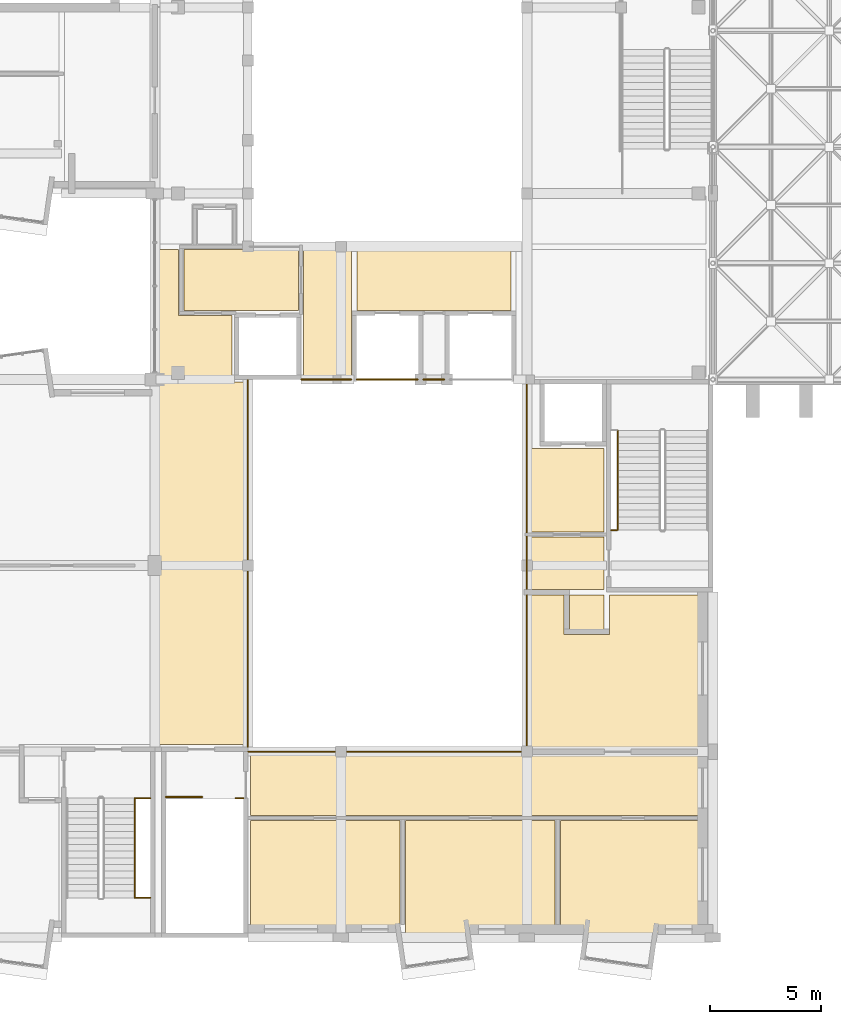
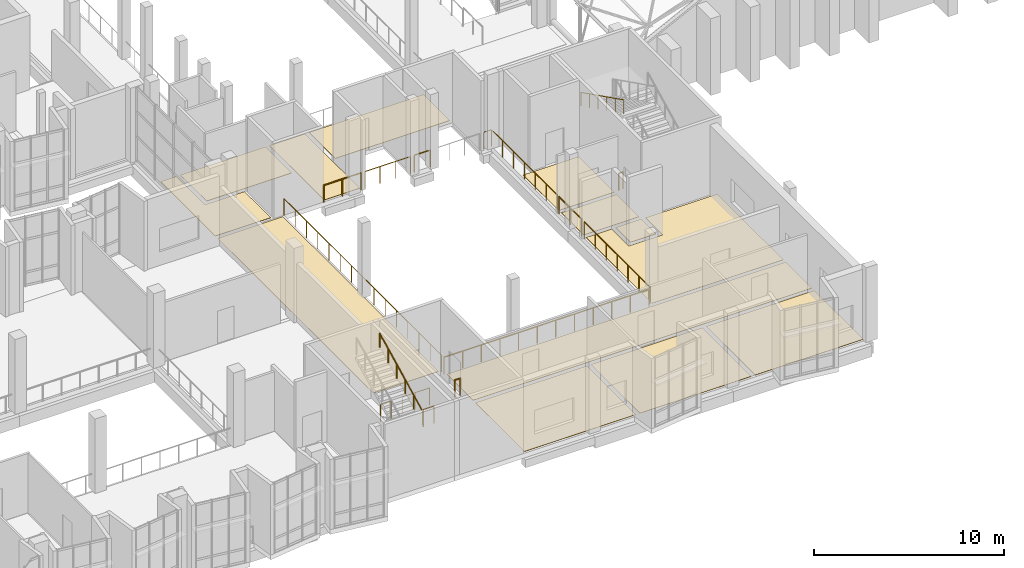
# One storey, part 87 of 100: 15 railings, 13 coverings.
"""IFC4 building model written with IfcOpenShell, lengths in metres."""

from ifc_helpers import new_model, si_unit, direction, frame, origin, origin_2d, place, context, subcontext, project, spatial, polyline, circle, outline, extrude, material, layer, layer_set, type_object, element, save


model = new_model("IFC4")

# Units and contexts
model_context = context("Model", 3, precision=1e-05, world=origin(), true_north=direction((0.0, 1.0)))
body_context = subcontext(model_context, "Body", "Model", "MODEL_VIEW")
ifc_project = project(units=[si_unit("LENGTHUNIT", "METRE"), si_unit("AREAUNIT", "SQUARE_METRE"), si_unit("VOLUMEUNIT", "CUBIC_METRE"), si_unit("PLANEANGLEUNIT", "RADIAN"), si_unit("MASSUNIT", "GRAM", prefix="KILO")], contexts=[model_context])

# Site, building, storey
site_placement = place(None, origin())
site = spatial("IfcSite", under=ifc_project, at=site_placement, CompositionType="ELEMENT")
building_placement = place(site_placement, origin())
building = spatial("IfcBuilding", under=site, at=building_placement, Name="Kiln Court Media Centre", CompositionType="ELEMENT")
storey_placement = place(building_placement, frame((0.0, 0.0, 15.0)))
storey = spatial("IfcBuildingStorey", under=building, at=storey_placement, Name="L03", CompositionType="ELEMENT", Elevation=15.0)

# Coverings
ifc_material_1 = material(Name="Carpet tile")
ifc_layer_1 = layer(ifc_material_1, 0.014892578125)
ifc_layer_set_1 = layer_set([ifc_layer_1], Name="Carpet tile floor finish 15")
covering_type_1 = type_object("IfcCoveringType", Name="Carpet tile floor finish 15", PredefinedType="FLOORING", material=ifc_layer_set_1)
covering_1_placement = place(storey_placement, origin())
element("IfcCovering", 1, at=covering_1_placement, inside=storey, type_object=covering_type_1, Name="Editing Suite 24 floor finish", PredefinedType="FLOORING", context=body_context, shape_type="SweptSolid", body=[
    extrude(outline(polyline([(37.919921875, 0.1201171875), (44.679931640625, 0.1201171875), (44.679931640625, 5.280029296875), (37.919921875, 5.280029296875), (37.919921875, 0.1201171875)])), origin(), (0.0, 0.0, 1.0), 0.014892578125),
])
covering_2_placement = place(storey_placement, origin())
element("IfcCovering", 2, at=covering_2_placement, inside=storey, type_object=covering_type_1, Name="Editing Suite 25 floor finish", PredefinedType="FLOORING", context=body_context, shape_type="SweptSolid", body=[
    extrude(outline(polyline([(44.919921875, 0.1201171875), (51.679931640625, 0.1201171875), (51.679931640625, 5.280029296875), (44.919921875, 5.280029296875), (44.919921875, 0.1201171875)])), origin(), (0.0, 0.0, 1.0), 0.014892578125),
])
covering_3_placement = place(storey_placement, origin())
element("IfcCovering", 3, at=covering_3_placement, inside=storey, type_object=covering_type_1, Name="Editing Suite 26 floor finish", PredefinedType="FLOORING", context=body_context, shape_type="SweptSolid", body=[
    extrude(outline(polyline([(51.919921875, 0.1201171875), (58.47998046875, 0.1201171875), (58.47998046875, 5.280029296875), (51.919921875, 5.280029296875), (51.919921875, 0.1201171875)])), origin(), (0.0, 0.0, 1.0), 0.014892578125),
])
covering_4_placement = place(storey_placement, origin())
element("IfcCovering", 4, at=covering_4_placement, inside=storey, type_object=covering_type_1, Name="Projection and Equipment Room floor finish", PredefinedType="FLOORING", context=body_context, shape_type="SweptSolid", body=[
    extrude(outline(polyline([(50.52001953125, 8.52001953125), (58.47998046875, 8.52001953125), (58.47998046875, 15.47998046875), (54.1201171875, 15.47998046875), (54.1201171875, 13.679931640625), (52.080078125, 13.679931640625), (52.080078125, 15.47998046875), (50.52001953125, 15.47998046875), (50.52001953125, 8.52001953125)])), origin(), (0.0, 0.0, 1.0), 0.014892578125),
])
ifc_material_2 = material(Name="Terrazzo")
ifc_layer_2 = layer(ifc_material_2, 0.02490234375)
ifc_layer_set_2 = layer_set([ifc_layer_2], Name="Polished terrazzo floor finish 25")
covering_type_2 = type_object("IfcCoveringType", Name="Polished terrazzo floor finish 25", PredefinedType="FLOORING", material=ifc_layer_set_2)
covering_5_placement = place(storey_placement, origin())
element("IfcCovering", 5, at=covering_5_placement, inside=storey, type_object=covering_type_2, Name="South Gallery West floor finish", PredefinedType="FLOORING", context=body_context, shape_type="SweptSolid", body=[
    extrude(outline(polyline([(37.080078125, 25.320068359375), (37.080078125, 28.080078125), (34.679931640625, 28.080078125), (34.679931640625, 31.080078125), (33.719970703125, 31.080078125), (33.719970703125, 25.320068359375), (37.080078125, 25.320068359375)])), origin(), (0.0, 0.0, 1.0), 0.02490234375),
])
covering_6_placement = place(storey_placement, origin())
element("IfcCovering", 6, at=covering_6_placement, inside=storey, type_object=covering_type_2, Name="South Gallery Link floor finish", PredefinedType="FLOORING", context=body_context, shape_type="SweptSolid", body=[
    extrude(outline(polyline([(40.320068359375, 25.320068359375), (42.47998046875, 25.320068359375), (42.47998046875, 31.080078125), (40.320068359375, 31.080078125), (40.320068359375, 25.320068359375)])), origin(), (0.0, 0.0, 1.0), 0.02490234375),
])
covering_7_placement = place(storey_placement, origin())
element("IfcCovering", 7, at=covering_7_placement, inside=storey, type_object=covering_type_2, Name="Fire-fighting Lift Lobby floor finish", PredefinedType="FLOORING", context=body_context, shape_type="SweptSolid", body=[
    extrude(outline(polyline([(34.919921875, 28.320068359375), (40.080078125, 28.320068359375), (40.080078125, 31.080078125), (34.919921875, 31.080078125), (34.919921875, 28.320068359375)])), origin(), (0.0, 0.0, 1.0), 0.02490234375),
])
covering_8_placement = place(storey_placement, origin())
element("IfcCovering", 8, at=covering_8_placement, inside=storey, type_object=covering_type_2, Name="Glass Lift Landing floor finish", PredefinedType="FLOORING", context=body_context, shape_type="SweptSolid", body=[
    extrude(outline(polyline([(42.719970703125, 28.320068359375), (49.679931640625, 28.320068359375), (49.679931640625, 31.080078125), (42.719970703125, 31.080078125), (42.719970703125, 28.320068359375)])), origin(), (0.0, 0.0, 1.0), 0.02490234375),
])
covering_9_placement = place(storey_placement, origin())
element("IfcCovering", 9, at=covering_9_placement, inside=storey, type_object=covering_type_2, Name="Suite Corridor floor finish", PredefinedType="FLOORING", context=body_context, shape_type="SweptSolid", body=[
    extrude(outline(polyline([(37.919921875, 5.52001953125), (58.47998046875, 5.52001953125), (58.47998046875, 8.280029296875), (37.919921875, 8.280029296875), (37.919921875, 5.52001953125)])), origin(), (0.0, 0.0, 1.0), 0.02490234375),
])
covering_10_placement = place(storey_placement, origin())
element("IfcCovering", 10, at=covering_10_placement, inside=storey, type_object=covering_type_2, Name="Hall Corridor floor finish", PredefinedType="FLOORING", context=body_context, shape_type="SweptSolid", body=[
    extrude(outline(polyline([(33.719970703125, 25.080078125), (33.719970703125, 8.719970703125), (37.679931640625, 8.719970703125), (37.679931640625, 25.080078125), (33.719970703125, 25.080078125)])), origin(), (0.0, 0.0, 1.0), 0.02490234375),
])
covering_11_placement = place(storey_placement, origin())
element("IfcCovering", 11, at=covering_11_placement, inside=storey, type_object=covering_type_2, Name="Wheelchair Refuge floor finish", PredefinedType="FLOORING", context=body_context, shape_type="SweptSolid", body=[
    extrude(outline(polyline([(52.320068359375, 13.919921875), (53.8798828125, 13.919921875), (53.8798828125, 15.47998046875), (52.320068359375, 15.47998046875), (52.320068359375, 13.919921875)])), origin(), (0.0, 0.0, 1.0), 0.02490234375),
])
covering_12_placement = place(storey_placement, origin())
element("IfcCovering", 12, at=covering_12_placement, inside=storey, type_object=covering_type_2, Name="Stair 5 Lobby floor finish", PredefinedType="FLOORING", context=body_context, shape_type="SweptSolid", body=[
    extrude(outline(polyline([(50.52001953125, 15.719970703125), (53.8798828125, 15.719970703125), (53.8798828125, 18.080078125), (50.52001953125, 18.080078125), (50.52001953125, 15.719970703125)])), origin(), (0.0, 0.0, 1.0), 0.02490234375),
])
covering_13_placement = place(storey_placement, origin())
element("IfcCovering", 13, at=covering_13_placement, inside=storey, type_object=covering_type_2, Name="Fire-fighting Lift Lobby floor finish", PredefinedType="FLOORING", context=body_context, shape_type="SweptSolid", body=[
    extrude(outline(polyline([(50.52001953125, 18.320068359375), (53.8798828125, 18.320068359375), (53.8798828125, 22.080078125), (50.52001953125, 22.080078125), (50.52001953125, 18.320068359375)])), origin(), (0.0, 0.0, 1.0), 0.02490234375),
])

# Railings
ifc_material_3 = material(Name="Steel S275", Category="steel")
railing_type_1 = type_object("IfcRailingType", Name="Steel S275 balustrade guard 1100", PredefinedType="GUARDRAIL", material=ifc_material_3)
railing_1_placement = place(storey_placement, frame((37.800048828125, 25.179931640625, 0.0)))
element("IfcRailing", 14, at=railing_1_placement, inside=storey, type_object=railing_type_1, Name="L03 void edge guard", PredefinedType="GUARDRAIL", context=body_context, shape_type="SweptSolid", body=[
    extrude(circle(Radius=0.02392578125, at=origin_2d()), frame((0.0, 0.0, 1.076171875), z_axis=(0.0, -1.0, 0.0), x_axis=(1.0, 0.0, 0.0)), (0.0, 0.0, 1.0), 16.559814453125),
    extrude(circle(Radius=0.02099609375, at=origin_2d()), origin(), (0.0, 0.0, 1.0), 1.052001953125),
    extrude(circle(Radius=0.02099609375, at=origin_2d()), frame((0.0, -1.182861328125, 0.0)), (0.0, 0.0, 1.0), 1.052001953125),
    extrude(circle(Radius=0.02099609375, at=origin_2d()), frame((0.0, -2.36572265625, 0.0)), (0.0, 0.0, 1.0), 1.052001953125),
    extrude(circle(Radius=0.02099609375, at=origin_2d()), frame((0.0, -3.548583984375, 0.0)), (0.0, 0.0, 1.0), 1.052001953125),
    extrude(circle(Radius=0.02099609375, at=origin_2d()), frame((0.0, -4.7314453125, 0.0)), (0.0, 0.0, 1.0), 1.052001953125),
    extrude(circle(Radius=0.02099609375, at=origin_2d()), frame((0.0, -5.914306640625, 0.0)), (0.0, 0.0, 1.0), 1.052001953125),
    extrude(circle(Radius=0.02099609375, at=origin_2d()), frame((0.0, -7.09716796875, 0.0)), (0.0, 0.0, 1.0), 1.052001953125),
    extrude(circle(Radius=0.02099609375, at=origin_2d()), frame((0.0, -8.27978515625, 0.0)), (0.0, 0.0, 1.0), 1.052001953125),
    extrude(circle(Radius=0.02099609375, at=origin_2d()), frame((0.0, -9.462646484375, 0.0)), (0.0, 0.0, 1.0), 1.052001953125),
    extrude(circle(Radius=0.02099609375, at=origin_2d()), frame((0.0, -10.6455078125, 0.0)), (0.0, 0.0, 1.0), 1.052001953125),
    extrude(circle(Radius=0.02099609375, at=origin_2d()), frame((0.0, -11.828369140625, 0.0)), (0.0, 0.0, 1.0), 1.052001953125),
    extrude(circle(Radius=0.02099609375, at=origin_2d()), frame((0.0, -13.01123046875, 0.0)), (0.0, 0.0, 1.0), 1.052001953125),
    extrude(circle(Radius=0.02099609375, at=origin_2d()), frame((0.0, -14.194091796875, 0.0)), (0.0, 0.0, 1.0), 1.052001953125),
    extrude(circle(Radius=0.02099609375, at=origin_2d()), frame((0.0, -15.376953125, 0.0)), (0.0, 0.0, 1.0), 1.052001953125),
    extrude(circle(Radius=0.02099609375, at=origin_2d()), frame((0.0, -16.559814453125, 0.0)), (0.0, 0.0, 1.0), 1.052001953125),
])
railing_2_placement = place(storey_placement, frame((37.820068359375, 8.39990234375, 0.0)))
element("IfcRailing", 15, at=railing_2_placement, inside=storey, type_object=railing_type_1, Name="L03 void edge guard", PredefinedType="GUARDRAIL", context=body_context, shape_type="SweptSolid", body=[
    extrude(circle(Radius=0.02392578125, at=origin_2d()), frame((0.0, 0.0, 1.076171875), z_axis=(1.0, 0.0, 0.0), x_axis=(0.0, 1.0, 0.0)), (0.0, 0.0, 1.0), 12.434814453125),
    extrude(circle(Radius=0.02099609375, at=origin_2d()), origin(), (0.0, 0.0, 1.0), 1.052001953125),
    extrude(circle(Radius=0.02099609375, at=origin_2d()), frame((1.13037109375, 0.0, 0.0)), (0.0, 0.0, 1.0), 1.052001953125),
    extrude(circle(Radius=0.02099609375, at=origin_2d()), frame((2.260986328125, 0.0, 0.0)), (0.0, 0.0, 1.0), 1.052001953125),
    extrude(circle(Radius=0.02099609375, at=origin_2d()), frame((3.391357421875, 0.0, 0.0)), (0.0, 0.0, 1.0), 1.052001953125),
    extrude(circle(Radius=0.02099609375, at=origin_2d()), frame((4.521728515625, 0.0, 0.0)), (0.0, 0.0, 1.0), 1.052001953125),
    extrude(circle(Radius=0.02099609375, at=origin_2d()), frame((5.652099609375, 0.0, 0.0)), (0.0, 0.0, 1.0), 1.052001953125),
    extrude(circle(Radius=0.02099609375, at=origin_2d()), frame((6.78271484375, 0.0, 0.0)), (0.0, 0.0, 1.0), 1.052001953125),
    extrude(circle(Radius=0.02099609375, at=origin_2d()), frame((7.9130859375, 0.0, 0.0)), (0.0, 0.0, 1.0), 1.052001953125),
    extrude(circle(Radius=0.02099609375, at=origin_2d()), frame((9.04345703125, 0.0, 0.0)), (0.0, 0.0, 1.0), 1.052001953125),
    extrude(circle(Radius=0.02099609375, at=origin_2d()), frame((10.173828125, 0.0, 0.0)), (0.0, 0.0, 1.0), 1.052001953125),
    extrude(circle(Radius=0.02099609375, at=origin_2d()), frame((11.304443359375, 0.0, 0.0)), (0.0, 0.0, 1.0), 1.052001953125),
    extrude(circle(Radius=0.02099609375, at=origin_2d()), frame((12.434814453125, 0.0, 0.0)), (0.0, 0.0, 1.0), 1.052001953125),
])
railing_3_placement = place(storey_placement, frame((42.47998046875, 25.199951171875, 0.0)))
element("IfcRailing", 16, at=railing_3_placement, inside=storey, type_object=railing_type_1, Name="L03 void edge guard", PredefinedType="GUARDRAIL", context=body_context, shape_type="SweptSolid", body=[
    extrude(circle(Radius=0.02392578125, at=origin_2d()), frame((0.0, 0.0, 1.076171875), z_axis=(-1.0, 0.0, 0.0), x_axis=(0.0, -1.0, 0.0)), (0.0, 0.0, 1.0), 2.260009765625),
    extrude(circle(Radius=0.02099609375, at=origin_2d()), origin(), (0.0, 0.0, 1.0), 1.052001953125),
    extrude(circle(Radius=0.02099609375, at=origin_2d()), frame((-1.1298828125, 0.0, 0.0)), (0.0, 0.0, 1.0), 1.052001953125),
    extrude(circle(Radius=0.02099609375, at=origin_2d()), frame((-2.260009765625, 0.0, 0.0)), (0.0, 0.0, 1.0), 1.052001953125),
])
railing_4_placement = place(storey_placement, frame((45.47998046875, 25.199951171875, 0.0)))
element("IfcRailing", 17, at=railing_4_placement, inside=storey, type_object=railing_type_1, Name="L03 void edge guard", PredefinedType="GUARDRAIL", context=body_context, shape_type="SweptSolid", body=[
    extrude(circle(Radius=0.02392578125, at=origin_2d()), frame((0.0, 0.0, 1.076171875), z_axis=(-1.0, 0.0, 0.0), x_axis=(0.0, -1.0, 0.0)), (0.0, 0.0, 1.0), 2.760009765625),
    extrude(circle(Radius=0.02099609375, at=origin_2d()), origin(), (0.0, 0.0, 1.0), 1.052001953125),
    extrude(circle(Radius=0.02099609375, at=origin_2d()), frame((-0.919921875, 0.0, 0.0)), (0.0, 0.0, 1.0), 1.052001953125),
    extrude(circle(Radius=0.02099609375, at=origin_2d()), frame((-1.840087890625, 0.0, 0.0)), (0.0, 0.0, 1.0), 1.052001953125),
    extrude(circle(Radius=0.02099609375, at=origin_2d()), frame((-2.760009765625, 0.0, 0.0)), (0.0, 0.0, 1.0), 1.052001953125),
])
railing_5_placement = place(storey_placement, frame((46.679931640625, 25.199951171875, 0.0)))
element("IfcRailing", 18, at=railing_5_placement, inside=storey, type_object=railing_type_1, Name="L03 void edge guard", PredefinedType="GUARDRAIL", context=body_context, shape_type="SweptSolid", body=[
    extrude(circle(Radius=0.02392578125, at=origin_2d()), frame((0.0, 0.0, 1.076171875), z_axis=(-1.0, 0.0, 0.0), x_axis=(0.0, -1.0, 0.0)), (0.0, 0.0, 1.0), 0.9599609375),
    extrude(circle(Radius=0.02099609375, at=origin_2d()), origin(), (0.0, 0.0, 1.0), 1.052001953125),
    extrude(circle(Radius=0.02099609375, at=origin_2d()), frame((-0.9599609375, 0.0, 0.0)), (0.0, 0.0, 1.0), 1.052001953125),
])
railing_6_placement = place(storey_placement, frame((50.39990234375, 18.294921875, 0.0)))
element("IfcRailing", 19, at=railing_6_placement, inside=storey, type_object=railing_type_1, Name="L03 void edge guard", PredefinedType="GUARDRAIL", context=body_context, shape_type="SweptSolid", body=[
    extrude(circle(Radius=0.02392578125, at=origin_2d()), frame((0.0, 0.0, 1.076171875), z_axis=(0.0, 1.0, 0.0), x_axis=(-1.0, 0.0, 0.0)), (0.0, 0.0, 1.0), 6.905029296875),
    extrude(circle(Radius=0.02392578125, at=origin_2d()), frame((0.0, 6.905029296875, 1.076171875), z_axis=(-1.0, 0.0, 0.0), x_axis=(0.0, -1.0, 0.0)), (0.0, 0.0, 1.0), 0.47998046875),
    extrude(circle(Radius=0.02099609375, at=origin_2d()), origin(), (0.0, 0.0, 1.0), 1.052001953125),
    extrude(circle(Radius=0.02099609375, at=origin_2d()), frame((0.0, 1.15087890625, 0.0)), (0.0, 0.0, 1.0), 1.052001953125),
    extrude(circle(Radius=0.02099609375, at=origin_2d()), frame((0.0, 2.3017578125, 0.0)), (0.0, 0.0, 1.0), 1.052001953125),
    extrude(circle(Radius=0.02099609375, at=origin_2d()), frame((0.0, 3.45263671875, 0.0)), (0.0, 0.0, 1.0), 1.052001953125),
    extrude(circle(Radius=0.02099609375, at=origin_2d()), frame((0.0, 4.603271484375, 0.0)), (0.0, 0.0, 1.0), 1.052001953125),
    extrude(circle(Radius=0.02099609375, at=origin_2d()), frame((0.0, 5.754150390625, 0.0)), (0.0, 0.0, 1.0), 1.052001953125),
    extrude(circle(Radius=0.02099609375, at=origin_2d()), frame((0.0, 6.905029296875, 0.0)), (0.0, 0.0, 1.0), 1.052001953125),
    extrude(circle(Radius=0.02099609375, at=origin_2d()), frame((-0.47998046875, 6.905029296875, 0.0)), (0.0, 0.0, 1.0), 1.052001953125),
])
railing_7_placement = place(storey_placement, frame((50.39990234375, 8.544921875, 0.0)))
element("IfcRailing", 20, at=railing_7_placement, inside=storey, type_object=railing_type_1, Name="L03 void edge guard", PredefinedType="GUARDRAIL", context=body_context, shape_type="SweptSolid", body=[
    extrude(circle(Radius=0.02392578125, at=origin_2d()), frame((0.0, 0.0, 1.076171875), z_axis=(0.0, 1.0, 0.0), x_axis=(-1.0, 0.0, 0.0)), (0.0, 0.0, 1.0), 6.91015625),
    extrude(circle(Radius=0.02099609375, at=origin_2d()), origin(), (0.0, 0.0, 1.0), 1.052001953125),
    extrude(circle(Radius=0.02099609375, at=origin_2d()), frame((0.0, 1.151611328125, 0.0)), (0.0, 0.0, 1.0), 1.052001953125),
    extrude(circle(Radius=0.02099609375, at=origin_2d()), frame((0.0, 2.303466796875, 0.0)), (0.0, 0.0, 1.0), 1.052001953125),
    extrude(circle(Radius=0.02099609375, at=origin_2d()), frame((0.0, 3.455078125, 0.0)), (0.0, 0.0, 1.0), 1.052001953125),
    extrude(circle(Radius=0.02099609375, at=origin_2d()), frame((0.0, 4.606689453125, 0.0)), (0.0, 0.0, 1.0), 1.052001953125),
    extrude(circle(Radius=0.02099609375, at=origin_2d()), frame((0.0, 5.758544921875, 0.0)), (0.0, 0.0, 1.0), 1.052001953125),
    extrude(circle(Radius=0.02099609375, at=origin_2d()), frame((0.0, 6.91015625, 0.0)), (0.0, 0.0, 1.0), 1.052001953125),
])
railing_8_placement = place(storey_placement, frame((50.39990234375, 15.7451171875, 0.0)))
element("IfcRailing", 21, at=railing_8_placement, inside=storey, type_object=railing_type_1, Name="L03 void edge guard", PredefinedType="GUARDRAIL", context=body_context, shape_type="SweptSolid", body=[
    extrude(circle(Radius=0.02392578125, at=origin_2d()), frame((0.0, 0.0, 1.076171875), z_axis=(0.0, 1.0, 0.0), x_axis=(-1.0, 0.0, 0.0)), (0.0, 0.0, 1.0), 2.35986328125),
    extrude(circle(Radius=0.02099609375, at=origin_2d()), origin(), (0.0, 0.0, 1.0), 1.052001953125),
    extrude(circle(Radius=0.02099609375, at=origin_2d()), frame((0.0, 1.179931640625, 0.0)), (0.0, 0.0, 1.0), 1.052001953125),
    extrude(circle(Radius=0.02099609375, at=origin_2d()), frame((0.0, 2.35986328125, 0.0)), (0.0, 0.0, 1.0), 1.052001953125),
])
ifc_material_4 = material(Name="Steel S275", Category="steel")
railing_type_2 = type_object("IfcRailingType", Name="Steel S275 stair guard 1100", PredefinedType="GUARDRAIL", material=ifc_material_4)
for number, where, name in (
    (22, (32.75, 1.800048828125, 2.39990234375), "ST-03 landing edge guard"),
    (23, (32.75, 6.300048828125, 0.0), "ST-03 landing edge guard"),
):
    element("IfcRailing", number, at=place(storey_placement, frame(where)), inside=storey, type_object=railing_type_2, Name=name, PredefinedType="GUARDRAIL", context=body_context, shape_type="SweptSolid", body=[
        extrude(circle(Radius=0.02392578125, at=origin_2d()), frame((0.0, 0.0, 1.076171875), z_axis=(1.0, 0.0, 0.0), x_axis=(0.0, 1.0, 0.0)), (0.0, 0.0, 1.0), 0.64990234375),
        extrude(circle(Radius=0.02099609375, at=origin_2d()), origin(), (0.0, 0.0, 1.0), 1.052001953125),
        extrude(circle(Radius=0.02099609375, at=origin_2d()), frame((0.64990234375, 0.0, 0.0)), (0.0, 0.0, 1.0), 1.052001953125),
    ])
railing_9_placement = place(storey_placement, frame((37.25, 6.300048828125, 0.0)))
element("IfcRailing", 24, at=railing_9_placement, inside=storey, type_object=railing_type_2, Name="ST-04 landing edge guard", PredefinedType="GUARDRAIL", context=body_context, shape_type="SweptSolid", body=[
    extrude(circle(Radius=0.02392578125, at=origin_2d()), frame((0.0, 0.0, 1.076171875), z_axis=(1.0, 0.0, 0.0), x_axis=(0.0, 1.0, 0.0)), (0.0, 0.0, 1.0), 0.35009765625),
    extrude(circle(Radius=0.02099609375, at=origin_2d()), origin(), (0.0, 0.0, 1.0), 1.052001953125),
    extrude(circle(Radius=0.02099609375, at=origin_2d()), frame((0.35009765625, 0.0, 0.0)), (0.0, 0.0, 1.0), 1.052001953125),
])
railing_10_placement = place(storey_placement, frame((34.10009765625, 6.35009765625, 0.0)))
element("IfcRailing", 25, at=railing_10_placement, inside=storey, type_object=railing_type_2, Name="ST-04 top floor guard", PredefinedType="GUARDRAIL", context=body_context, shape_type="SweptSolid", body=[
    extrude(circle(Radius=0.02392578125, at=origin_2d()), frame((0.0, 0.0, 1.076171875), z_axis=(1.0, 0.0, 0.0), x_axis=(0.0, 1.0, 0.0)), (0.0, 0.0, 1.0), 1.64990234375),
    extrude(circle(Radius=0.02099609375, at=origin_2d()), origin(), (0.0, 0.0, 1.0), 1.052001953125),
    extrude(circle(Radius=0.02099609375, at=origin_2d()), frame((0.824951171875, 0.0, 0.0)), (0.0, 0.0, 1.0), 1.052001953125),
    extrude(circle(Radius=0.02099609375, at=origin_2d()), frame((1.64990234375, 0.0, 0.0)), (0.0, 0.0, 1.0), 1.052001953125),
])
railing_11_placement = place(storey_placement, frame((54.449951171875, 18.39990234375, 0.0)))
element("IfcRailing", 26, at=railing_11_placement, inside=storey, type_object=railing_type_2, Name="ST-05 landing edge guard", PredefinedType="GUARDRAIL", context=body_context, shape_type="SweptSolid", body=[
    extrude(circle(Radius=0.02392578125, at=origin_2d()), frame((0.0, 0.0, 1.076171875), z_axis=(-1.0, 0.0, 0.0), x_axis=(0.0, -1.0, 0.0)), (0.0, 0.0, 1.0), 0.25),
    extrude(circle(Radius=0.02099609375, at=origin_2d()), origin(), (0.0, 0.0, 1.0), 1.052001953125),
    extrude(circle(Radius=0.02099609375, at=origin_2d()), frame((-0.25, 0.0, 0.0)), (0.0, 0.0, 1.0), 1.052001953125),
])
ifc_material_5 = material(Name="Steel S275", Category="steel")
railing_type_3 = type_object("IfcRailingType", Name="Steel S275 stair handrail 900", PredefinedType="HANDRAIL", material=ifc_material_5)
railing_12_placement = place(storey_placement, frame((32.699951171875, 1.800048828125, 2.550048828125)))
element("IfcRailing", 27, at=railing_12_placement, inside=storey, type_object=railing_type_3, Name="ST-03 stair handrail", PredefinedType="HANDRAIL", context=body_context, shape_type="SweptSolid", body=[
    extrude(circle(Radius=0.02392578125, at=origin_2d()), frame((0.0, 0.0, 0.8759765625), z_axis=(0.0, 0.894427191, 0.4472135955), x_axis=(-1.0, 0.0, 0.0)), (0.0, 0.0, 1.0), 5.03125),
    extrude(circle(Radius=0.02099609375, at=origin_2d()), origin(), (0.0, 0.0, 1.0), 0.851806640625),
    extrude(circle(Radius=0.02099609375, at=origin_2d()), frame((0.0, 0.89990234375, 0.449951171875)), (0.0, 0.0, 1.0), 0.851806640625),
    extrude(circle(Radius=0.02099609375, at=origin_2d()), frame((0.0, 1.800048828125, 0.89990234375)), (0.0, 0.0, 1.0), 0.851806640625),
    extrude(circle(Radius=0.02099609375, at=origin_2d()), frame((0.0, 2.699951171875, 1.35009765625)), (0.0, 0.0, 1.0), 0.851806640625),
    extrude(circle(Radius=0.02099609375, at=origin_2d()), frame((0.0, 3.60009765625, 1.800048828125)), (0.0, 0.0, 1.0), 0.851806640625),
    extrude(circle(Radius=0.02099609375, at=origin_2d()), frame((0.0, 4.5, 2.25)), (0.0, 0.0, 1.0), 0.851806640625),
])
railing_13_placement = place(storey_placement, frame((54.5, 22.89990234375, 2.550048828125)))
element("IfcRailing", 28, at=railing_13_placement, inside=storey, type_object=railing_type_3, Name="ST-05 stair handrail", PredefinedType="HANDRAIL", context=body_context, shape_type="SweptSolid", body=[
    extrude(circle(Radius=0.02392578125, at=origin_2d()), frame((0.0, 0.0, 0.8759765625), z_axis=(0.0, -0.894427191, 0.4472135955), x_axis=(1.0, 0.0, 0.0)), (0.0, 0.0, 1.0), 5.03125),
    extrude(circle(Radius=0.02099609375, at=origin_2d()), origin(), (0.0, 0.0, 1.0), 0.851806640625),
    extrude(circle(Radius=0.02099609375, at=origin_2d()), frame((0.0, -0.89990234375, 0.449951171875)), (0.0, 0.0, 1.0), 0.851806640625),
    extrude(circle(Radius=0.02099609375, at=origin_2d()), frame((0.0, -1.800048828125, 0.89990234375)), (0.0, 0.0, 1.0), 0.851806640625),
    extrude(circle(Radius=0.02099609375, at=origin_2d()), frame((0.0, -2.699951171875, 1.35009765625)), (0.0, 0.0, 1.0), 0.851806640625),
    extrude(circle(Radius=0.02099609375, at=origin_2d()), frame((0.0, -3.60009765625, 1.800048828125)), (0.0, 0.0, 1.0), 0.851806640625),
    extrude(circle(Radius=0.02099609375, at=origin_2d()), frame((0.0, -4.5, 2.25)), (0.0, 0.0, 1.0), 0.851806640625),
])

save(model, "model.ifc")
